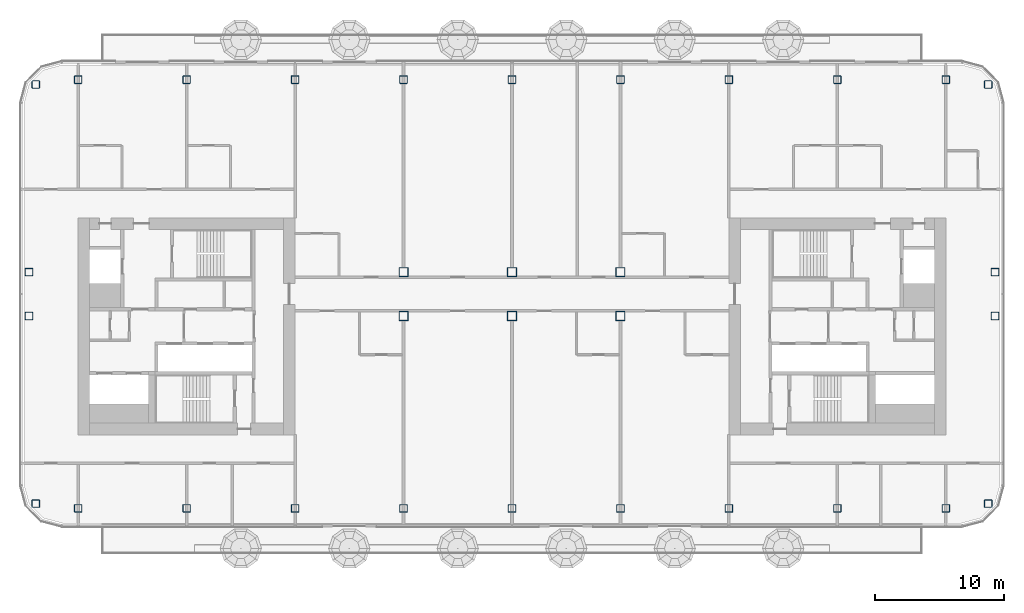
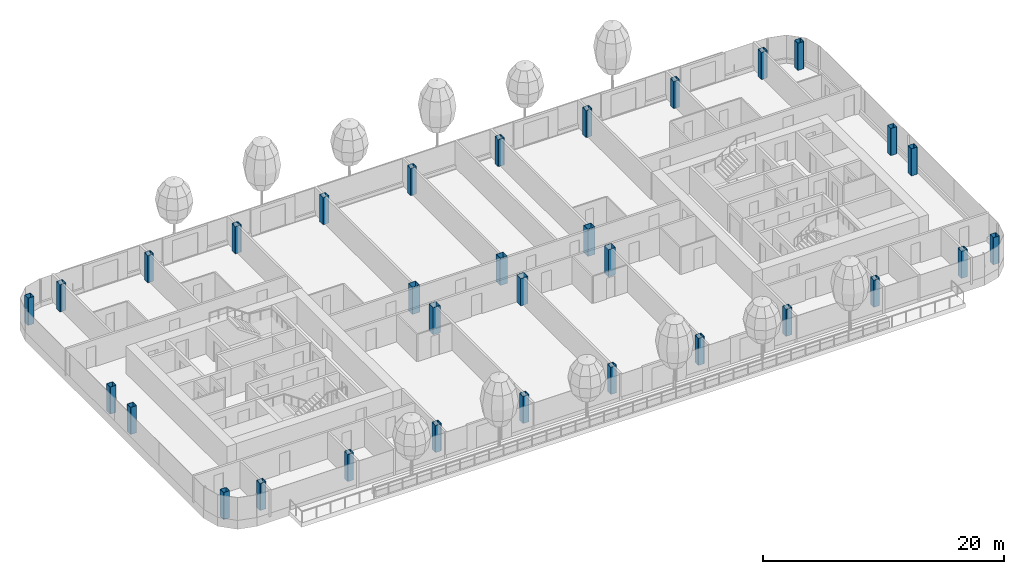
# One storey, part 1 of 28: 32 columns.
"""IFC4 building model written with IfcOpenShell, lengths in metres."""

from ifc_helpers import new_model, si_unit, direction, frame, origin, origin_2d, place, context, subcontext, project, spatial, hollow_rectangle, extrude, material, material_profile, profile_set, type_object, element, save


model = new_model("IFC4")

# Units and contexts
model_context = context("Model", 3, precision=1e-05, world=origin(), true_north=direction((0.0, 1.0)))
body_context = subcontext(model_context, "Body", "Model", "MODEL_VIEW")
ifc_project = project(units=[si_unit("LENGTHUNIT", "METRE"), si_unit("AREAUNIT", "SQUARE_METRE"), si_unit("VOLUMEUNIT", "CUBIC_METRE"), si_unit("PLANEANGLEUNIT", "RADIAN"), si_unit("MASSUNIT", "GRAM", prefix="KILO")], contexts=[model_context])

# Site, building, storey
site_placement = place(None, origin())
site = spatial("IfcSite", under=ifc_project, at=site_placement, CompositionType="ELEMENT")
building_placement = place(site_placement, origin())
building = spatial("IfcBuilding", under=site, at=building_placement, Name="Hakoniwa Tower and Hamabe Station Hall", CompositionType="ELEMENT")
storey_placement = place(building_placement, frame((0.0, 0.0, 218.60009765625)))
storey = spatial("IfcBuildingStorey", under=building, at=storey_placement, Name="L62", CompositionType="ELEMENT", Elevation=218.60009765625)

# Columns
ifc_material_1 = material(Name="Steel BCP325", Category="steel")
ifc_material_profile_1 = material_profile(ifc_material_1, hollow_rectangle(XDim=0.60009765625, YDim=0.60009765625, WallThickness=0.02490234375, InnerFilletRadius=0.03759765625, OuterFilletRadius=0.0625, at=origin_2d()), Name="BCP-600x600x25")
ifc_profile_set_1 = profile_set([ifc_material_profile_1], Name="Steel BCP325")
column_type_1 = type_object("IfcColumnType", Name="COLUMN BCP-600x600x25", PredefinedType="COLUMN", material=ifc_profile_set_1)
for number, where, z_axis, x_axis, name in (
    (1, (-36.877685546875, -13.728515625, 0.0), (0.0, 0.0, 1.0), (1.0, 0.0, 0.0), "Column B4-EW-A4"),
    (2, (-37.39990234375, 0.800048828125, 0.0), (0.0, 0.0, 1.0), (1.0, 0.0, 0.0), "Column B4-EW-C4"),
    (3, (-37.39990234375, 4.199951171875, 0.0), (0.0, 0.0, 1.0), (1.0, 0.0, 0.0), "Column B4-EW-D4"),
    (4, (-36.877685546875, 18.728515625, 0.0), (0.0, 0.0, 1.0), (1.0, 0.0, 0.0), "Column B4-EW-F4"),
    (5, (-33.60009765625, -14.10009765625, 0.0), (0.0, 0.0, 1.0), (1.0, 0.0, 0.0), "Column B4-3-A4"),
    (6, (-33.60009765625, 19.10009765625, 0.0), (0.0, 0.0, 1.0), (1.0, 0.0, 0.0), "Column B4-3-F4"),
    (7, (-25.199951171875, -14.10009765625, 0.0), (0.0, 0.0, 1.0), (1.0, 0.0, 0.0), "Column B4-4-A4"),
    (8, (-25.199951171875, 19.10009765625, 0.0), (0.0, 0.0, 1.0), (1.0, 0.0, 0.0), "Column B4-4-F4"),
    (9, (-16.800048828125, -14.10009765625, 0.0), (0.0, 0.0, 1.0), (1.0, 0.0, 0.0), "Column B4-5-A4"),
    (10, (-16.800048828125, 19.10009765625, 0.0), (0.0, 0.0, 1.0), (1.0, 0.0, 0.0), "Column B4-5-F4"),
    (11, (-8.39990234375, -14.10009765625, 0.0), (0.0, 0.0, 1.0), (1.0, 0.0, 0.0), "Column B4-6-A4"),
    (12, (-8.39990234375, 19.10009765625, 0.0), (0.0, 0.0, 1.0), (1.0, 0.0, 0.0), "Column B4-6-F4"),
    (13, (0.0, -14.10009765625, 0.0), (0.0, 0.0, 1.0), (1.0, 0.0, 0.0), "Column B4-7-A4"),
    (14, (0.0, 19.10009765625, 0.0), (0.0, 0.0, 1.0), (1.0, 0.0, 0.0), "Column B4-7-F4"),
    (15, (8.39990234375, -14.10009765625, 0.0), (0.0, 0.0, 1.0), (1.0, 0.0, 0.0), "Column B4-8-A4"),
    (16, (8.39990234375, 19.10009765625, 0.0), (0.0, 0.0, 1.0), (1.0, 0.0, 0.0), "Column B4-8-F4"),
    (17, (16.800048828125, -14.10009765625, 0.0), (0.0, 0.0, 1.0), (1.0, 0.0, 0.0), "Column B4-9-A4"),
    (18, (16.800048828125, 19.10009765625, 0.0), (0.0, 0.0, 1.0), (1.0, 0.0, 0.0), "Column B4-9-F4"),
    (19, (25.199951171875, -14.10009765625, 0.0), (0.0, 0.0, 1.0), (1.0, 0.0, 0.0), "Column B4-10-A4"),
    (20, (25.199951171875, 19.10009765625, 0.0), (0.0, 0.0, 1.0), (1.0, 0.0, 0.0), "Column B4-10-F4"),
    (21, (33.60009765625, -14.10009765625, 0.0), (0.0, 0.0, 1.0), (1.0, 0.0, 0.0), "Column B4-11-A4"),
    (22, (33.60009765625, 19.10009765625, 0.0), (0.0, 0.0, 1.0), (1.0, 0.0, 0.0), "Column B4-11-F4"),
    (23, (36.877685546875, -13.728515625, 0.0), (0.0, 0.0, 1.0), (1.0, 0.0, 0.0), "Column B4-EE-A4"),
    (24, (37.39990234375, 0.800048828125, 0.0), (0.0, 0.0, 1.0), (1.0, 0.0, 0.0), "Column B4-EE-C4"),
    (25, (37.39990234375, 4.199951171875, 0.0), (0.0, 0.0, 1.0), (1.0, 0.0, 0.0), "Column B4-EE-D4"),
    (26, (36.877685546875, 18.728515625, 0.0), (0.0, 0.0, 1.0), (1.0, 0.0, 0.0), "Column B4-EE-F4"),
):
    element("IfcColumn", number, at=place(storey_placement, frame(where, z_axis=z_axis, x_axis=x_axis)), inside=storey, type_object=column_type_1, Name=name, PredefinedType="COLUMN", context=body_context, shape_type="SweptSolid", body=[
        extrude(hollow_rectangle(XDim=0.60009765625, YDim=0.60009765625, WallThickness=0.02490234375, InnerFilletRadius=0.03759765625, OuterFilletRadius=0.0625, at=origin_2d()), origin(), (0.0, 0.0, 1.0), 2.75),
    ])
ifc_material_2 = material(Name="Steel SN490C", Category="steel")
ifc_material_profile_2 = material_profile(ifc_material_2, hollow_rectangle(XDim=0.699951171875, YDim=0.699951171875, WallThickness=0.028076171875, at=origin_2d()), Name="BX-700x700x28")
ifc_profile_set_2 = profile_set([ifc_material_profile_2], Name="Steel SN490C")
column_type_2 = type_object("IfcColumnType", Name="COLUMN BX-700x700x28", PredefinedType="COLUMN", material=ifc_profile_set_2)
for number, where, z_axis, x_axis, name in (
    (27, (-8.39990234375, 0.800048828125, 0.0), (0.0, 0.0, 1.0), (1.0, 0.0, 0.0), "Column B4-6-C4"),
    (28, (-8.39990234375, 4.199951171875, 0.0), (0.0, 0.0, 1.0), (1.0, 0.0, 0.0), "Column B4-6-D4"),
    (29, (0.0, 0.800048828125, 0.0), (0.0, 0.0, 1.0), (1.0, 0.0, 0.0), "Column B4-7-C4"),
    (30, (0.0, 4.199951171875, 0.0), (0.0, 0.0, 1.0), (1.0, 0.0, 0.0), "Column B4-7-D4"),
    (31, (8.39990234375, 0.800048828125, 0.0), (0.0, 0.0, 1.0), (1.0, 0.0, 0.0), "Column B4-8-C4"),
    (32, (8.39990234375, 4.199951171875, 0.0), (0.0, 0.0, 1.0), (1.0, 0.0, 0.0), "Column B4-8-D4"),
):
    element("IfcColumn", number, at=place(storey_placement, frame(where, z_axis=z_axis, x_axis=x_axis)), inside=storey, type_object=column_type_2, Name=name, PredefinedType="COLUMN", context=body_context, shape_type="SweptSolid", body=[
        extrude(hollow_rectangle(XDim=0.699951171875, YDim=0.699951171875, WallThickness=0.028076171875, at=origin_2d()), origin(), (0.0, 0.0, 1.0), 2.75),
    ])

save(model, "model.ifc")
